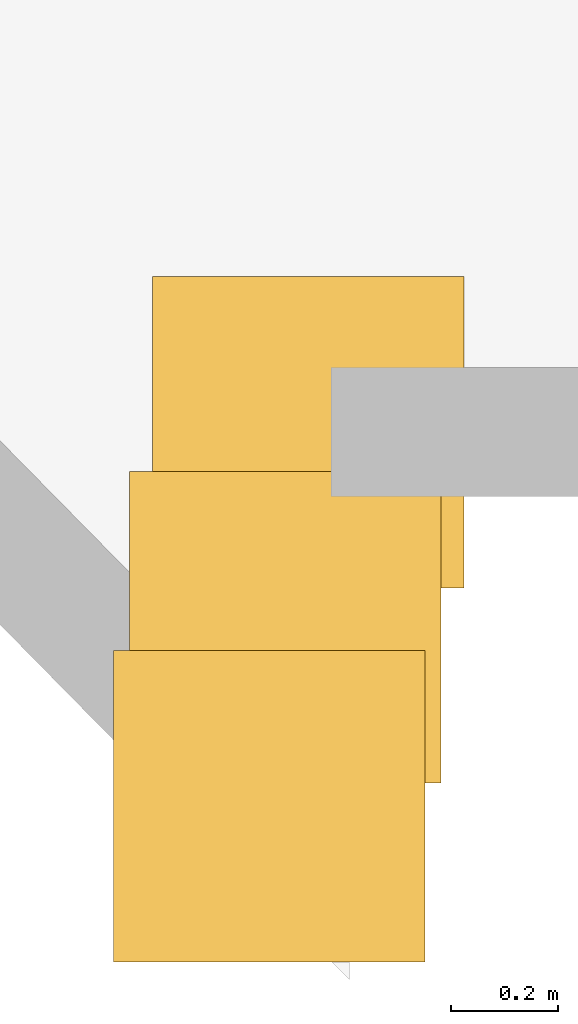
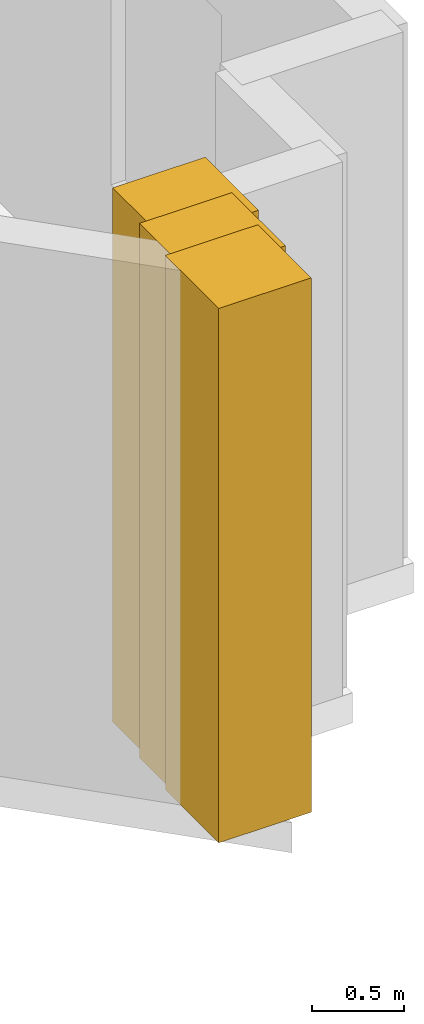
# One storey, part 19 of 19: 3 coverings.
"""IFC4 building model written with IfcOpenShell, lengths in metres."""

from ifc_helpers import new_model, si_unit, direction, frame, origin, origin_2d, place, context, subcontext, project, spatial, rectangle, extrude, material, layer, layer_set, type_object, element, save


model = new_model("IFC4")

# Units and contexts
model_context = context("Model", 3, precision=1e-05, world=origin(), true_north=direction((0.0, 1.0)))
body_context = subcontext(model_context, "Body", "Model", "MODEL_VIEW")
ifc_project = project(units=[si_unit("LENGTHUNIT", "METRE"), si_unit("AREAUNIT", "SQUARE_METRE"), si_unit("VOLUMEUNIT", "CUBIC_METRE"), si_unit("PLANEANGLEUNIT", "RADIAN"), si_unit("MASSUNIT", "GRAM", prefix="KILO")], contexts=[model_context])

# Site, building, storey
site_placement = place(None, origin())
site = spatial("IfcSite", under=ifc_project, at=site_placement, CompositionType="ELEMENT")
building_placement = place(site_placement, origin())
building = spatial("IfcBuilding", under=site, at=building_placement, Name="Haolan Belvedere Tower", CompositionType="ELEMENT")
storey_placement = place(building_placement, frame((0.0, 0.0, 39.199951171875)))
storey = spatial("IfcBuildingStorey", under=building, at=storey_placement, Name="L09", CompositionType="ELEMENT", Elevation=39.199951171875)

# Coverings
ifc_material = material(Name="Pale champagne-silver anodised aluminium rainscreen cladding", Category="aluminium")
ifc_layer = layer(ifc_material, 0.034912109375, Name="Pale champagne-silver anodised aluminium rainscreen cladding")
ifc_layer_set = layer_set([ifc_layer], Name="Pale champagne-silver anodised aluminium rainscreen cladding")
covering_type = type_object("IfcCoveringType", Name="COV-CLAD-35", PredefinedType="CLADDING", material=ifc_layer_set)
for number, where, z_axis, x_axis, name in (
    (1, (72.330078125, 6.91748046875, 0.0), (0.0, 0.0, 1.0), (1.0, 0.0, 0.0), "L09 pale-metal serrated corner cladding trim 5"),
    (2, (72.360107421875, 7.25048828125, 0.0), (0.0, 0.0, 1.0), (1.0, 0.0, 0.0), "L09 pale-metal serrated corner cladding trim 6"),
    (3, (72.402587890625, 7.614013671875, 0.0), (0.0, 0.0, 1.0), (1.0, 0.0, 0.0), "L09 pale-metal serrated corner cladding trim 7"),
):
    element("IfcCovering", number, at=place(storey_placement, frame(where, z_axis=z_axis, x_axis=x_axis)), inside=storey, type_object=covering_type, Name=name, PredefinedType="CLADDING", context=body_context, shape_type="SweptSolid", body=[
        extrude(rectangle(XDim=0.580078125, YDim=0.580078125, at=origin_2d()), origin(), (0.0, 0.0, 1.0), 3.5400390625),
    ])

save(model, "model.ifc")
